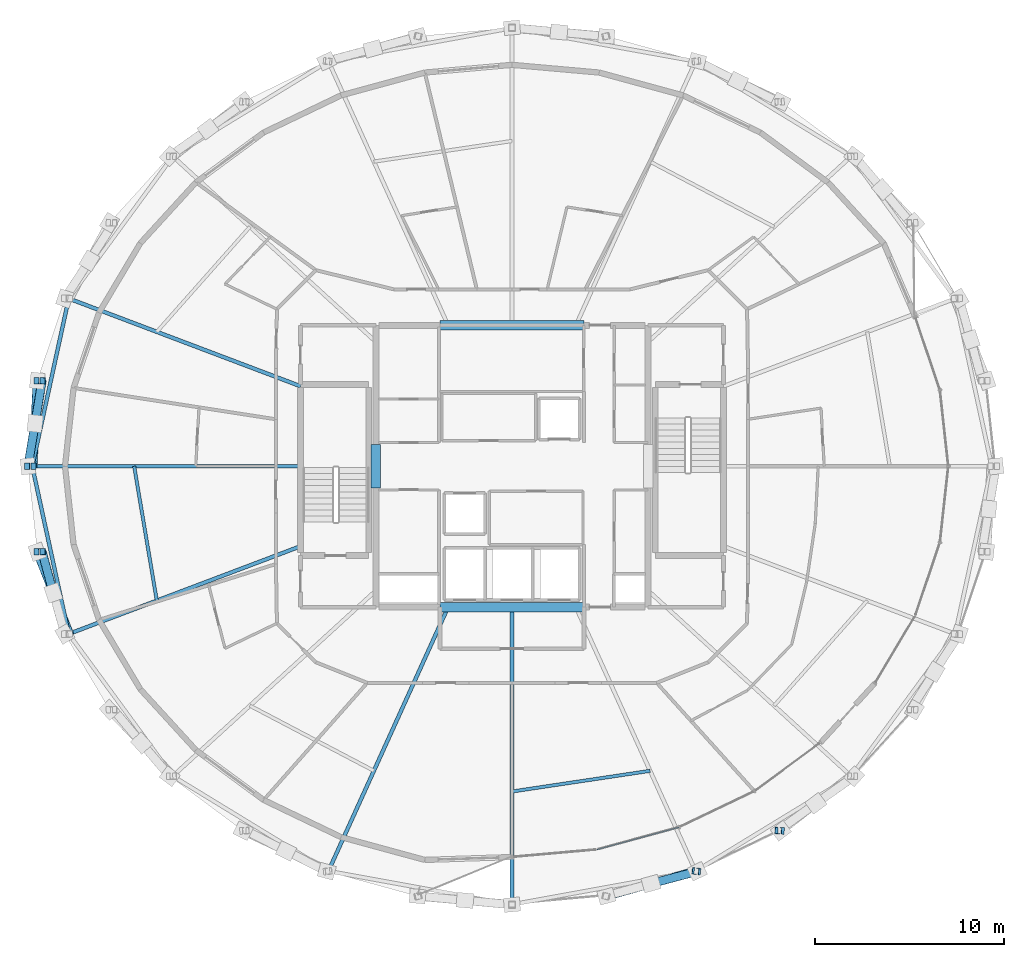
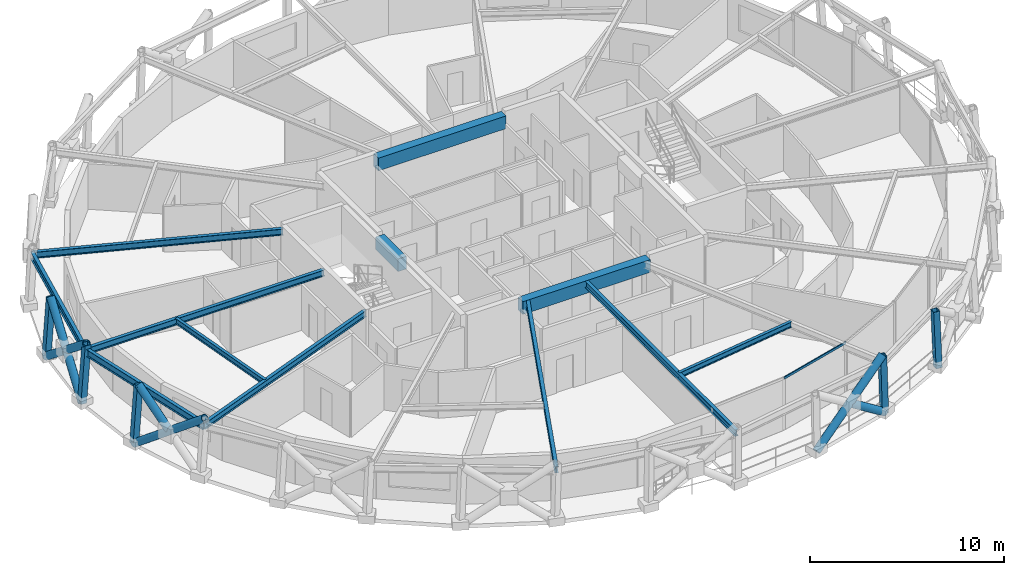
# One storey, part 3 of 17: 13 members, 12 beams, 1 element without a shape of its own.
"""IFC4 building model written with IfcOpenShell, lengths in metres."""

from ifc_helpers import new_model, si_unit, direction, frame, origin, origin_2d, place, context, subcontext, project, spatial, rectangle, hollow_rectangle, hollow_circle, i_section, extrude, material, layer, layer_set, material_profile, profile_set, type_object, element, aggregate, save


model = new_model("IFC4")

# Units and contexts
model_context = context("Model", 3, precision=1e-05, world=origin(), true_north=direction((0.0, 1.0)))
body_context = subcontext(model_context, "Body", "Model", "MODEL_VIEW")
ifc_project = project(units=[si_unit("LENGTHUNIT", "METRE"), si_unit("AREAUNIT", "SQUARE_METRE"), si_unit("VOLUMEUNIT", "CUBIC_METRE"), si_unit("PLANEANGLEUNIT", "RADIAN"), si_unit("MASSUNIT", "GRAM", prefix="KILO")], contexts=[model_context])

# Site, building, storey
site_placement = place(None, origin())
site = spatial("IfcSite", under=ifc_project, at=site_placement, CompositionType="ELEMENT")
building_placement = place(site_placement, origin())
building = spatial("IfcBuilding", under=site, at=building_placement, Name="Veldorina Hangang Commons", CompositionType="ELEMENT")
storey_placement = place(building_placement, frame((0.0, 0.0, 214.800048828125)))
storey = spatial("IfcBuildingStorey", under=building, at=storey_placement, Name="L55", CompositionType="ELEMENT", Elevation=214.800048828125)

# Beams
ifc_material_1 = material(Name="Concrete C50/60", Category="concrete")
ifc_material_profile_1 = material_profile(ifc_material_1, rectangle(XDim=0.5, YDim=0.800048828125, at=origin_2d()), Name="RC-CB-500x800")
ifc_profile_set_1 = profile_set([ifc_material_profile_1], Name="Concrete C50/60")
beam_type_1 = type_object("IfcBeamType", Name="BM-CB800", PredefinedType="LINTEL", material=ifc_profile_set_1)
beam_1_placement = place(storey_placement, frame((24.800048828125, 22.85009765625, 2.9599609375), z_axis=(0.0, 1.0, 0.0), x_axis=(-1.0, 0.0, 0.0)))
element("IfcBeam", 1, at=beam_1_placement, inside=storey, type_object=beam_type_1, Name="L55 W core coupling lintel beam", PredefinedType="LINTEL", context=body_context, shape_type="SweptSolid", body=[
    extrude(rectangle(XDim=0.5, YDim=0.800048828125, at=origin_2d()), origin(), (0.0, 0.0, 1.0), 2.2998046875),
])
for number, where, z_axis, x_axis, name in (
    (2, (28.199951171875, 16.550048828125, 2.9599609375), (1.0, 0.0, 0.0), (0.0, 1.0, 0.0), "L55 south core coupling beam"),
    (3, (28.199951171875, 31.449951171875, 2.9599609375), (1.0, 0.0, 0.0), (0.0, 1.0, 0.0), "L55 north core coupling beam"),
):
    element("IfcBeam", number, at=place(storey_placement, frame(where, z_axis=z_axis, x_axis=x_axis)), inside=storey, type_object=beam_type_1, Name=name, PredefinedType="LINTEL", context=body_context, shape_type="SweptSolid", body=[
        extrude(rectangle(XDim=0.5, YDim=0.800048828125, at=origin_2d()), origin(), (0.0, 0.0, 1.0), 7.60009765625),
    ])
ifc_material_2 = material(Name="Steel SM355-TMC", Category="steel")
ifc_material_profile_2 = material_profile(ifc_material_2, i_section(OverallWidth=0.199951171875, OverallDepth=0.39990234375, WebThickness=0.008056640625, FlangeThickness=0.012939453125, FilletRadius=0.012939453125, at=origin_2d()), Name="H-400x200x8x13")
ifc_profile_set_2 = profile_set([ifc_material_profile_2], Name="Steel SM355-TMC")
beam_type_2 = type_object("IfcBeamType", Name="BM-FG400", PredefinedType="BEAM", material=ifc_profile_set_2)
beam_2_placement = place(storey_placement, frame((20.820068359375, 28.230224609375, 3.159912109375), z_axis=(-0.93528342316, 0.353899587964, 0.0), x_axis=(-0.353899587964, -0.93528342316, 0.0)))
element("IfcBeam", 4, at=beam_2_placement, inside=storey, type_object=beam_type_2, Name="L55 radial floor girder 08", PredefinedType="BEAM", context=body_context, shape_type="SweptSolid", body=[
    extrude(i_section(OverallWidth=0.199951171875, OverallDepth=0.39990234375, WebThickness=0.008056640625, FlangeThickness=0.012939453125, FilletRadius=0.012939453125, at=origin_2d()), origin(), (0.0, 0.0, 1.0), 13.099609375),
])
beam_3_placement = place(storey_placement, frame((20.820068359375, 24.0, 3.159912109375), z_axis=(-1.0, 0.0, 0.0), x_axis=(0.0, -1.0, 0.0)))
element("IfcBeam", 5, at=beam_3_placement, inside=storey, type_object=beam_type_2, Name="L55 radial floor girder 09", PredefinedType="BEAM", context=body_context, shape_type="SweptSolid", body=[
    extrude(i_section(OverallWidth=0.199951171875, OverallDepth=0.39990234375, WebThickness=0.008056640625, FlangeThickness=0.012939453125, FilletRadius=0.012939453125, at=origin_2d()), origin(), (0.0, 0.0, 1.0), 14.1826171875),
])
beam_4_placement = place(storey_placement, frame((20.820068359375, 19.769775390625, 3.159912109375), z_axis=(-0.93528342316, -0.353899587964, 0.0), x_axis=(0.353899587964, -0.93528342316, 0.0)))
element("IfcBeam", 6, at=beam_4_placement, inside=storey, type_object=beam_type_2, Name="L55 radial floor girder 10", PredefinedType="BEAM", context=body_context, shape_type="SweptSolid", body=[
    extrude(i_section(OverallWidth=0.199951171875, OverallDepth=0.39990234375, WebThickness=0.008056640625, FlangeThickness=0.012939453125, FilletRadius=0.012939453125, at=origin_2d()), origin(), (0.0, 0.0, 1.0), 13.099609375),
])
beam_5_placement = place(storey_placement, frame((28.621826171875, 16.550048828125, 3.159912109375), z_axis=(-0.412972032093, -0.910743707477, 0.0), x_axis=(0.910743707477, -0.412972032093, 0.0)))
element("IfcBeam", 7, at=beam_5_placement, inside=storey, type_object=beam_type_2, Name="L55 radial floor girder 12", PredefinedType="BEAM", context=body_context, shape_type="SweptSolid", body=[
    extrude(i_section(OverallWidth=0.199951171875, OverallDepth=0.39990234375, WebThickness=0.008056640625, FlangeThickness=0.012939453125, FilletRadius=0.012939453125, at=origin_2d()), origin(), (0.0, 0.0, 1.0), 15.322265625),
])
beam_6_placement = place(storey_placement, frame((32.0, 16.550048828125, 3.159912109375), z_axis=(0.0, -1.0, 0.0), x_axis=(1.0, 0.0, 0.0)))
element("IfcBeam", 8, at=beam_6_placement, inside=storey, type_object=beam_type_2, Name="L55 radial floor girder 13", PredefinedType="BEAM", context=body_context, shape_type="SweptSolid", body=[
    extrude(i_section(OverallWidth=0.199951171875, OverallDepth=0.39990234375, WebThickness=0.008056640625, FlangeThickness=0.012939453125, FilletRadius=0.012939453125, at=origin_2d()), origin(), (0.0, 0.0, 1.0), 15.71826171875),
])
ifc_material_profile_3 = material_profile(ifc_material_2, i_section(OverallWidth=0.175048828125, OverallDepth=0.35009765625, WebThickness=0.007080078125, FlangeThickness=0.010986328125, FilletRadius=0.012939453125, at=origin_2d()), Name="H-350x175x7x11")
ifc_profile_set_3 = profile_set([ifc_material_profile_3], Name="Steel SM355-TMC")
beam_type_3 = type_object("IfcBeamType", Name="BM-JST350", PredefinedType="JOIST", material=ifc_profile_set_3)
beam_7_placement = place(storey_placement, frame((12.02685546875, 24.0, 3.18505859375), z_axis=(0.166146180768, -0.986101134071, 0.0), x_axis=(0.986101134071, 0.166146180768, 0.0)))
element("IfcBeam", 9, at=beam_7_placement, inside=storey, type_object=beam_type_3, Name="L55 secondary floor joist 09", PredefinedType="JOIST", context=body_context, shape_type="SweptSolid", body=[
    extrude(i_section(OverallWidth=0.175048828125, OverallDepth=0.35009765625, WebThickness=0.007080078125, FlangeThickness=0.010986328125, FilletRadius=0.012939453125, at=origin_2d()), origin(), (0.0, 0.0, 1.0), 7.20458984375),
])
beam_8_placement = place(storey_placement, frame((32.0, 6.8046875, 3.18505859375), z_axis=(0.988969801237, 0.148117292174, 0.0), x_axis=(-0.148117292174, 0.988969801237, 0.0)))
element("IfcBeam", 10, at=beam_8_placement, inside=storey, type_object=beam_type_3, Name="L55 secondary floor joist 13", PredefinedType="JOIST", context=body_context, shape_type="SweptSolid", body=[
    extrude(i_section(OverallWidth=0.175048828125, OverallDepth=0.35009765625, WebThickness=0.007080078125, FlangeThickness=0.010986328125, FilletRadius=0.012939453125, at=origin_2d()), origin(), (0.0, 0.0, 1.0), 7.3828125),
])
ifc_material_profile_4 = material_profile(ifc_material_2, i_section(OverallWidth=0.199951171875, OverallDepth=0.449951171875, WebThickness=0.009033203125, FlangeThickness=0.013916015625, FilletRadius=0.01611328125, at=origin_2d()), Name="H-450x200x9x14")
ifc_profile_set_4 = profile_set([ifc_material_profile_4], Name="Steel SM355-TMC")
beam_type_4 = type_object("IfcBeamType", Name="BM-RB450", PredefinedType="BEAM", material=ifc_profile_set_4)
for number, where, z_axis, x_axis, name in (
    (11, (8.568115234375, 32.8662109375, 3.135009765625), (-0.212769204984, -0.977102484599, 0.0), (0.977102484599, -0.212769204984, 0.0), "L55 perimeter hoop ring beam 14"),
    (12, (6.637451171875, 24.0, 3.135009765625), (0.212769204984, -0.977102484599, 0.0), (0.977102484599, 0.212769204984, 0.0), "L55 perimeter hoop ring beam 16"),
):
    element("IfcBeam", number, at=place(storey_placement, frame(where, z_axis=z_axis, x_axis=x_axis)), inside=storey, type_object=beam_type_4, Name=name, PredefinedType="BEAM", context=body_context, shape_type="SweptSolid", body=[
        extrude(i_section(OverallWidth=0.199951171875, OverallDepth=0.449951171875, WebThickness=0.009033203125, FlangeThickness=0.013916015625, FilletRadius=0.01611328125, at=origin_2d()), origin(), (0.0, 0.0, 1.0), 9.073974609375),
    ])

# Curtain wall, member
ifc_material_3 = material(Name="Glass Low-E Selective", Category="glass")
ifc_layer = layer(ifc_material_3, 0.179931640625)
ifc_layer_set = layer_set([ifc_layer], Name="Glass Low-E Selective")
curtain_wall_type = type_object("IfcCurtainWallType", Name="CW-SYS-Z3", PredefinedType="NOTDEFINED", material=ifc_layer_set)
curtain_wall_placement = place(storey_placement, origin())
curtain_wall = element("IfcCurtainWall", 13, at=curtain_wall_placement, inside=storey, type_object=curtain_wall_type, Name="L55 unitised curtain wall CW-L55-R1", PredefinedType="NOTDEFINED")
ifc_material_4 = material(Name="Aluminium Anodized AA6063-T6", Category="aluminium")
ifc_material_profile_5 = material_profile(ifc_material_4, hollow_rectangle(XDim=0.06005859375, YDim=0.139892578125, WallThickness=0.00341796875, at=origin_2d()), Name="ALU-RHS-140x60x3.5")
ifc_profile_set_5 = profile_set([ifc_material_profile_5], Name="Aluminium Anodized AA6063-T6")
member_type_1 = type_object("IfcMemberType", Name="CW-TRN-140", PredefinedType="USERDEFINED", material=ifc_profile_set_5)
member_1_placement = place(storey_placement, frame((36.500732421875, 3.73828125, 3.280029296875), z_axis=(0.965034664108, 0.26212229411, 0.0), x_axis=(-0.26212229411, 0.965034664108, 0.0)))
member_1 = element("IfcMember", 14, at=member_1_placement, type_object=member_type_1, Name="CW-L55-R1 facet 2 transom 1", ObjectType="TRANSOM", PredefinedType="USERDEFINED", context=body_context, shape_type="SweptSolid", body=[
    extrude(hollow_rectangle(XDim=0.06005859375, YDim=0.139892578125, WallThickness=0.00341796875, at=origin_2d()), origin(), (0.0, 0.0, 1.0), 4.484619140625),
])
aggregate(curtain_wall, [member_1])

# Members
ifc_material_profile_6 = material_profile(ifc_material_2, hollow_circle(Radius=0.22509765625, WallThickness=0.02197265625, at=origin_2d()), Name="CHS-450x22")
ifc_profile_set_6 = profile_set([ifc_material_profile_6], Name="Steel SM355-TMC")
member_type_2 = type_object("IfcMemberType", Name="DG-CHS450", PredefinedType="BRACE", material=ifc_profile_set_6)
member_2_placement = place(storey_placement, frame((6.901611328125, 28.52197265625, 0.0), z_axis=(-0.039800412499, -0.781742566596, 0.622329885782), x_axis=(0.998706476454, -0.050846572038, 0.0)))
element("IfcMember", 15, at=member_2_placement, inside=storey, type_object=member_type_2, Name="L55 continuous perimeter diagrid brace 15", PredefinedType="BRACE", context=body_context, shape_type="SweptSolid", body=[
    extrude(hollow_circle(Radius=0.22509765625, WallThickness=0.02197265625, at=origin_2d()), origin(), (0.0, 0.0, 1.0), 5.784423828125),
])
member_3_placement = place(storey_placement, frame((6.409912109375, 24.0, 0.0), z_axis=(0.129266463318, 0.775598779906, 0.617848455585), x_axis=(-0.986393923832, 0.164398987305, 0.0)))
element("IfcMember", 16, at=member_3_placement, inside=storey, type_object=member_type_2, Name="L55 split perimeter diagrid lower brace 16", PredefinedType="BRACE", context=body_context, shape_type="SweptSolid", body=[
    extrude(hollow_circle(Radius=0.22509765625, WallThickness=0.02197265625, at=origin_2d()), origin(), (0.0, 0.0, 1.0), 2.914306640625),
])
member_4_placement = place(storey_placement, frame((6.78662109375, 26.26025390625, 1.800537109375), z_axis=(0.127519718552, 0.775849753766, 0.617896335126), x_axis=(-0.986760325198, 0.162185266331, 0.0)))
element("IfcMember", 17, at=member_4_placement, inside=storey, type_object=member_type_2, Name="L55 split perimeter diagrid upper brace 16", PredefinedType="BRACE", context=body_context, shape_type="SweptSolid", body=[
    extrude(hollow_circle(Radius=0.22509765625, WallThickness=0.02197265625, at=origin_2d()), origin(), (0.0, 0.0, 1.0), 2.912109375),
])
member_5_placement = place(storey_placement, frame((6.901611328125, 19.47802734375, 0.0), z_axis=(0.288180086964, -0.737275226801, 0.611046215456), x_axis=(0.931379427925, 0.36404994333, 0.0)))
element("IfcMember", 18, at=member_5_placement, inside=storey, type_object=member_type_2, Name="L55 continuous perimeter diagrid brace 17", PredefinedType="BRACE", context=body_context, shape_type="SweptSolid", body=[
    extrude(hollow_circle(Radius=0.22509765625, WallThickness=0.02197265625, at=origin_2d()), origin(), (0.0, 0.0, 1.0), 5.891357421875),
])
member_6_placement = place(storey_placement, frame((7.751220703125, 17.3046875, 1.80126953125), z_axis=(-0.205665521436, 0.754276183965, 0.62351353762), x_axis=(-0.964778808985, -0.263062444551, 0.0)))
element("IfcMember", 19, at=member_6_placement, inside=storey, type_object=member_type_2, Name="L55 split perimeter diagrid upper brace 18", PredefinedType="BRACE", context=body_context, shape_type="SweptSolid", body=[
    extrude(hollow_circle(Radius=0.22509765625, WallThickness=0.02197265625, at=origin_2d()), origin(), (0.0, 0.0, 1.0), 2.884521484375),
])
member_7_placement = place(storey_placement, frame((36.992431640625, 1.2666015625, 0.0), z_axis=(0.774611053086, 0.219190828298, 0.593239493988), x_axis=(-0.272277940313, 0.962218646264, 0.0)))
element("IfcMember", 20, at=member_7_placement, inside=storey, type_object=member_type_2, Name="L55 continuous perimeter diagrid brace 25", PredefinedType="BRACE", context=body_context, shape_type="SweptSolid", body=[
    extrude(hollow_circle(Radius=0.22509765625, WallThickness=0.02197265625, at=origin_2d()), origin(), (0.0, 0.0, 1.0), 6.068115234375),
])
member_8_placement = place(storey_placement, frame((41.79296875, 2.585693359375, 0.0), z_axis=(-0.785407164048, -0.209599149084, 0.582412039166), x_axis=(0.257843234966, -0.966186765684, 0.0)))
element("IfcMember", 21, at=member_8_placement, inside=storey, type_object=member_type_2, Name="L55 split perimeter diagrid lower brace 26", PredefinedType="BRACE", context=body_context, shape_type="SweptSolid", body=[
    extrude(hollow_circle(Radius=0.22509765625, WallThickness=0.02197265625, at=origin_2d()), origin(), (0.0, 0.0, 1.0), 3.10546875),
])
ifc_material_profile_7 = material_profile(ifc_material_2, hollow_rectangle(XDim=0.35009765625, YDim=0.35009765625, WallThickness=0.01611328125, at=origin_2d()), Name="SHS-350x350x16")
ifc_profile_set_7 = profile_set([ifc_material_profile_7], Name="Steel SM355-TMC")
member_type_3 = type_object("IfcMemberType", Name="STR-SHS350", PredefinedType="STRUT", material=ifc_profile_set_7)
member_9_placement = place(storey_placement, frame((6.901611328125, 28.52197265625, 0.0), z_axis=(0.071030694868, -0.000676482808, 0.99747390079), x_axis=(0.009523377634, 0.999954651611, 0.0)))
element("IfcMember", 22, at=member_9_placement, inside=storey, type_object=member_type_3, Name="L55 perimeter ring node post 15", PredefinedType="STRUT", context=body_context, shape_type="SweptSolid", body=[
    extrude(hollow_rectangle(XDim=0.35009765625, YDim=0.35009765625, WallThickness=0.01611328125, at=origin_2d()), origin(), (0.0, 0.0, 1.0), 3.60888671875),
])
member_10_placement = place(storey_placement, frame((6.409912109375, 24.0, 0.0), z_axis=(0.0724439425, 0.0, 0.997372485682), x_axis=(0.0, 1.0, 0.0)))
element("IfcMember", 23, at=member_10_placement, inside=storey, type_object=member_type_3, Name="L55 perimeter ring node post 16", PredefinedType="STRUT", context=body_context, shape_type="SweptSolid", body=[
    extrude(hollow_rectangle(XDim=0.35009765625, YDim=0.35009765625, WallThickness=0.01611328125, at=origin_2d()), origin(), (0.0, 0.0, 1.0), 3.609375),
])
member_11_placement = place(storey_placement, frame((6.901611328125, 19.47802734375, 0.0), z_axis=(0.071030694868, 0.000676482808, 0.99747390079), x_axis=(-0.009523377634, 0.999954651611, 0.0)))
element("IfcMember", 24, at=member_11_placement, inside=storey, type_object=member_type_3, Name="L55 perimeter ring node post 17", PredefinedType="STRUT", context=body_context, shape_type="SweptSolid", body=[
    extrude(hollow_rectangle(XDim=0.35009765625, YDim=0.35009765625, WallThickness=0.01611328125, at=origin_2d()), origin(), (0.0, 0.0, 1.0), 3.60888671875),
])
member_12_placement = place(storey_placement, frame((41.79296875, 2.585693359375, 0.0), z_axis=(-0.027795163358, 0.003050688661, 0.99960898465), x_axis=(-0.109100928002, -0.994030677348, 0.0)))
element("IfcMember", 25, at=member_12_placement, inside=storey, type_object=member_type_3, Name="L55 perimeter ring node post 26", PredefinedType="STRUT", context=body_context, shape_type="SweptSolid", body=[
    extrude(hollow_rectangle(XDim=0.35009765625, YDim=0.35009765625, WallThickness=0.01611328125, at=origin_2d()), origin(), (0.0, 0.0, 1.0), 3.601318359375),
])
member_13_placement = place(storey_placement, frame((46.217041015625, 4.7275390625, 0.0), z_axis=(-0.040252038194, 0.002778339337, 0.99918569558), x_axis=(-0.068859731339, -0.997626351597, 0.0)))
element("IfcMember", 26, at=member_13_placement, inside=storey, type_object=member_type_3, Name="L55 perimeter ring node post 27", PredefinedType="STRUT", context=body_context, shape_type="SweptSolid", body=[
    extrude(hollow_rectangle(XDim=0.35009765625, YDim=0.35009765625, WallThickness=0.01611328125, at=origin_2d()), origin(), (0.0, 0.0, 1.0), 3.602783203125),
])

save(model, "model.ifc")
